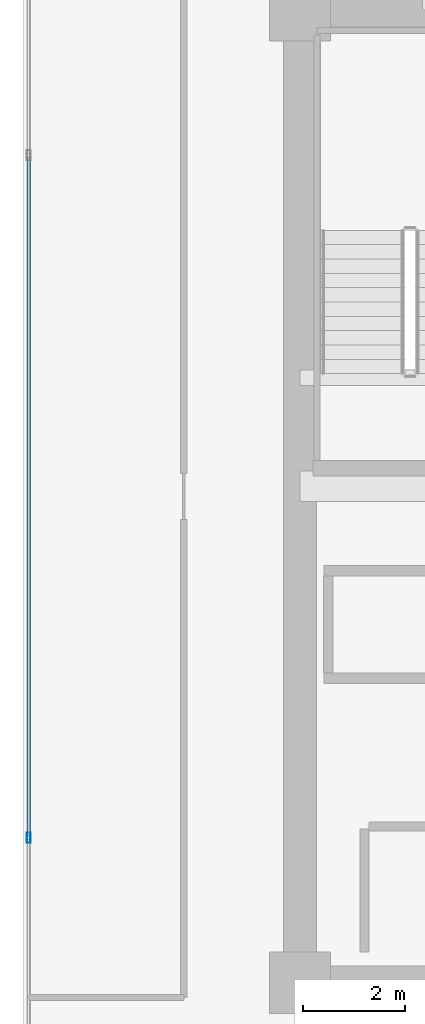
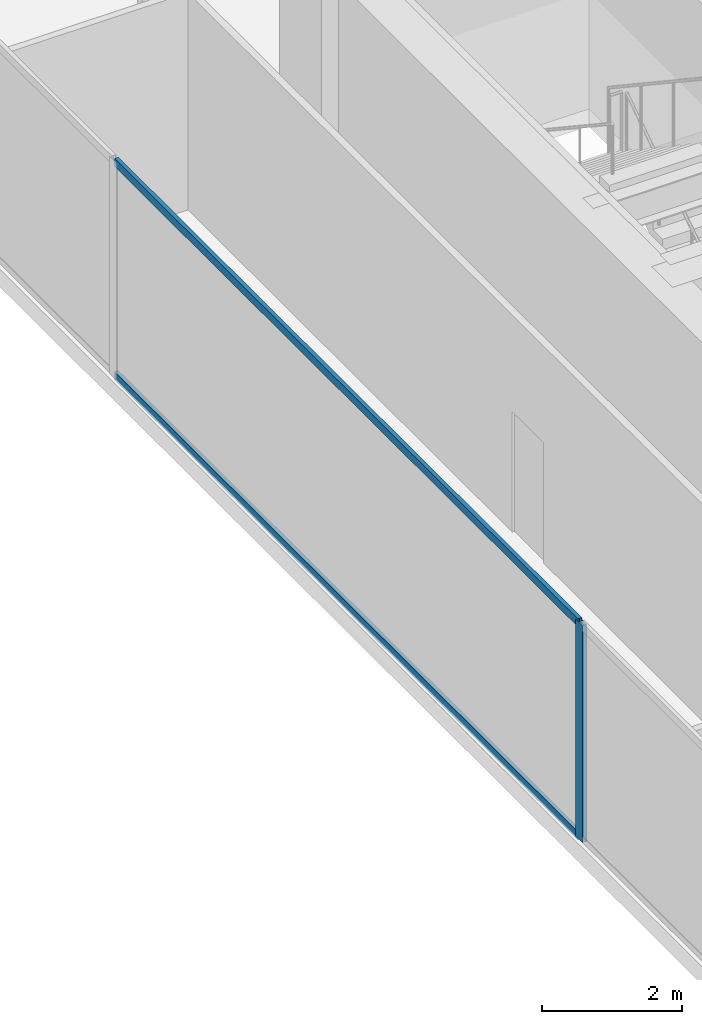
# One storey, part 6 of 30: 3 members, 1 element without a shape of its own.
"""IFC4 building model written with IfcOpenShell, lengths in metres."""

from ifc_helpers import new_model, si_unit, direction, frame, origin, origin_2d, place, context, subcontext, project, spatial, hollow_rectangle, extrude, source, transform, mapped, material, layer, layer_set, material_profile, profile_set, type_object, type_shapes, element, aggregate, save


model = new_model("IFC4")

# Units and contexts
model_context = context("Model", 3, precision=1e-05, world=origin(), true_north=direction((0.0, 1.0)))
body_context = subcontext(model_context, "Body", "Model", "MODEL_VIEW")
ifc_project = project(units=[si_unit("LENGTHUNIT", "METRE"), si_unit("AREAUNIT", "SQUARE_METRE"), si_unit("VOLUMEUNIT", "CUBIC_METRE"), si_unit("PLANEANGLEUNIT", "RADIAN"), si_unit("MASSUNIT", "GRAM", prefix="KILO")], contexts=[model_context])

# Site, building, storey
site_placement = place(None, origin())
site = spatial("IfcSite", under=ifc_project, at=site_placement, CompositionType="ELEMENT")
building_placement = place(site_placement, origin())
building = spatial("IfcBuilding", under=site, at=building_placement, Name="Haelvirn Gate Laboratories", CompositionType="ELEMENT")
storey_placement = place(building_placement, frame((0.0, 0.0, 183.0)))
storey = spatial("IfcBuildingStorey", under=building, at=storey_placement, Name="L44", CompositionType="ELEMENT", Elevation=183.0)

# Curtain wall, members
ifc_material_1 = material(Name="Anodised bronze unitised aluminium & triple low-E glass", Category="aluminium")
ifc_layer = layer(ifc_material_1, 0.179931640625, Name="CW-SYS-3")
ifc_layer_set = layer_set([ifc_layer], Name="Anodised bronze unitised aluminium & triple low-E glass")
curtain_wall_type = type_object("IfcCurtainWallType", Name="CW-SYS-3", PredefinedType="NOTDEFINED", material=ifc_layer_set)
curtain_wall_placement = place(storey_placement, origin())
curtain_wall = element("IfcCurtainWall", 1, at=curtain_wall_placement, inside=storey, type_object=curtain_wall_type, Name="L44 Unitised Curtain Wall CW-L44-P0-E17", PredefinedType="NOTDEFINED")
ifc_material_2 = material(Name="Extruded aluminium 6063-T6 (anodised bronze)", Category="aluminium")
ifc_material_profile_1 = material_profile(ifc_material_2, hollow_rectangle(XDim=0.06494140625, YDim=0.139892578125, WallThickness=0.00390625, at=origin_2d()), Name="CWT-140x65x4")
ifc_profile_set_1 = profile_set([ifc_material_profile_1], Name="Extruded aluminium 6063-T6 (anodised bronze)")
member_type_1 = type_object("IfcMemberType", Name="CWT-T140", PredefinedType="USERDEFINED", material=ifc_profile_set_1)
shared_shape_1 = source(origin(), body_context, "Body", "SweptSolid", [
    extrude(hollow_rectangle(XDim=0.06494140625, YDim=0.139892578125, WallThickness=0.00390625, at=origin_2d()), origin(), (0.0, 0.0, 1.0), 13.25830078125),
])
type_shapes(member_type_1, [shared_shape_1])
member_1_placement = place(storey_placement, frame((2.10009765625, 30.92919921875, 0.032470703125), z_axis=(0.0, -1.0, 0.0), x_axis=(1.0, 0.0, 0.0)))
member_1 = element("IfcMember", 2, at=member_1_placement, type_object=member_type_1, Name="CW3 transom 2.1", ObjectType="TRANSOM", PredefinedType="USERDEFINED", context=body_context, shape_type="MappedRepresentation", body=[
    mapped(shared_shape_1, transform((0.0, 0.0, 0.0), scale=1.0)),
])
member_2_placement = place(storey_placement, frame((2.10009765625, 30.92919921875, 3.757568359375), z_axis=(0.0, -1.0, 0.0), x_axis=(1.0, 0.0, 0.0)))
member_2 = element("IfcMember", 3, at=member_2_placement, type_object=member_type_1, Name="CW3 transom 2.2", ObjectType="TRANSOM", PredefinedType="USERDEFINED", context=body_context, shape_type="MappedRepresentation", body=[
    mapped(shared_shape_1, transform((0.0, 0.0, 0.0), scale=1.0)),
])
ifc_material_profile_2 = material_profile(ifc_material_2, hollow_rectangle(XDim=0.074951171875, YDim=0.199951171875, WallThickness=0.0048828125, at=origin_2d()), Name="CWM-200x75x5")
ifc_profile_set_2 = profile_set([ifc_material_profile_2], Name="Extruded aluminium 6063-T6 (anodised bronze)")
member_type_2 = type_object("IfcMemberType", Name="CWM-T200", PredefinedType="MULLION", material=ifc_profile_set_2)
shared_shape_2 = source(origin(), body_context, "Body", "SweptSolid", [
    extrude(hollow_rectangle(XDim=0.074951171875, YDim=0.199951171875, WallThickness=0.0048828125, at=origin_2d()), origin(), (0.0, 0.0, 1.0), 3.7900390625),
])
type_shapes(member_type_2, [shared_shape_2])
member_3_placement = place(storey_placement, frame((2.10009765625, 17.63330078125, 0.0), z_axis=(0.0, 0.0, 1.0), x_axis=(1.0, 0.0, 0.0)))
member_3 = element("IfcMember", 4, at=member_3_placement, type_object=member_type_2, Name="CW3 mullion 3", PredefinedType="MULLION", context=body_context, shape_type="MappedRepresentation", body=[
    mapped(shared_shape_2, transform((0.0, 0.0, 0.0), scale=1.0)),
])
aggregate(curtain_wall, [member_3, member_1, member_2])

save(model, "model.ifc")
